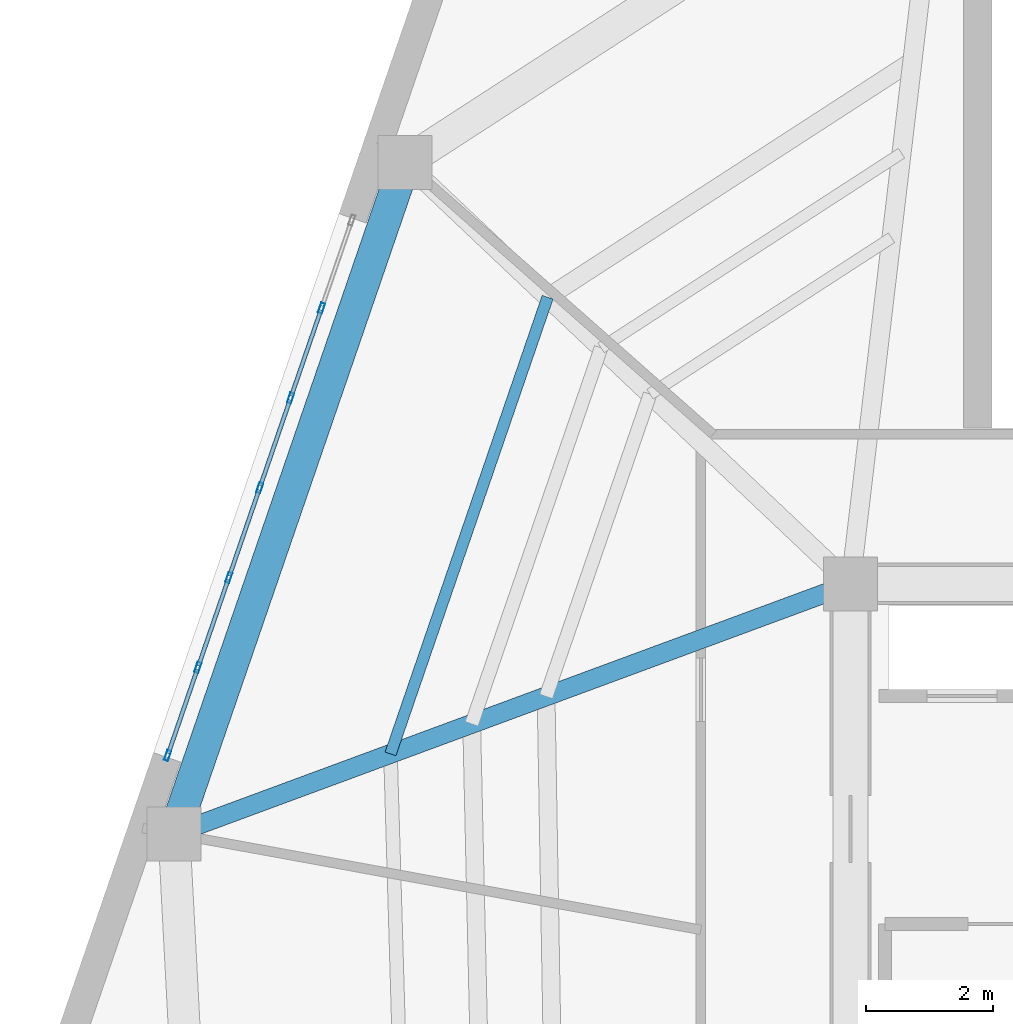
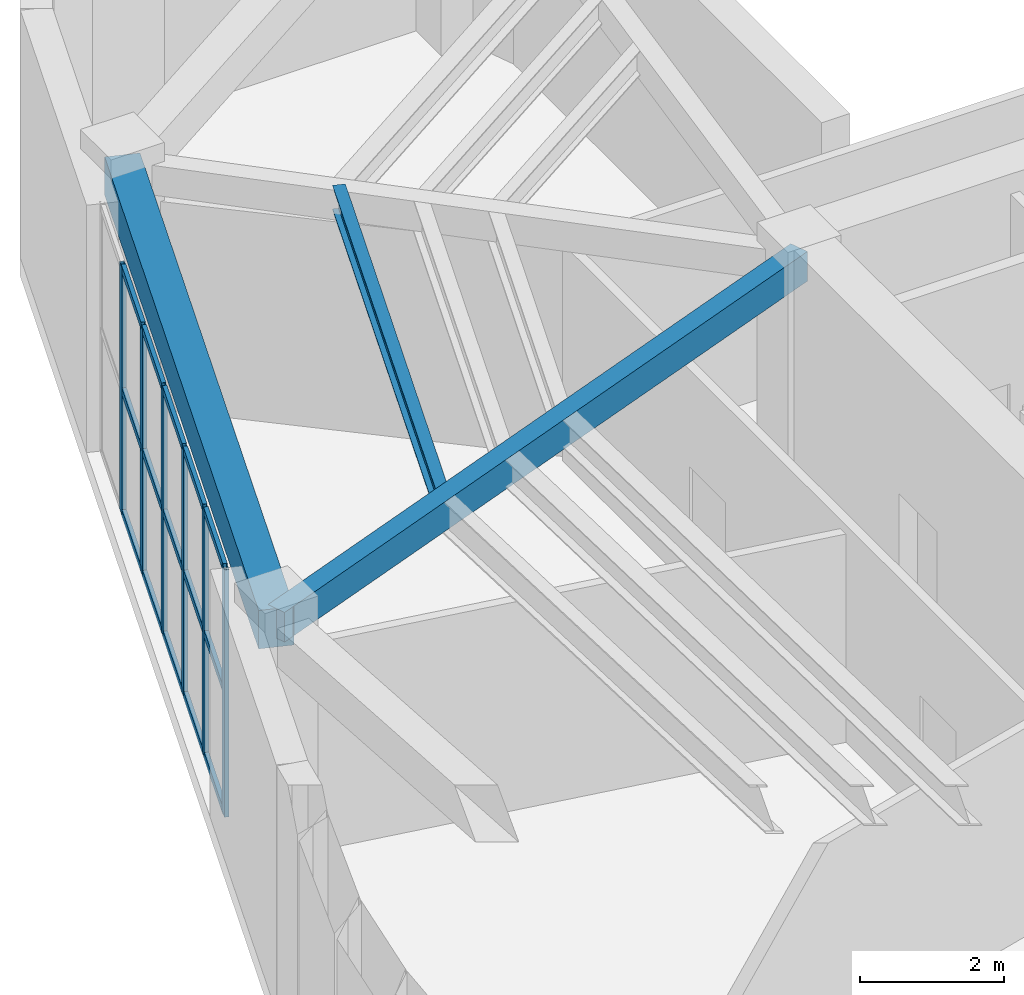
# One storey, part 2 of 15: 21 members, 3 beams, 1 element without a shape of its own.
"""IFC4 building model written with IfcOpenShell, lengths in metres."""

from ifc_helpers import new_model, si_unit, direction, frame, origin, origin_2d, place, context, subcontext, project, spatial, rectangle, hollow_rectangle, i_section, extrude, material, layer, layer_set, material_profile, profile_set, type_object, element, aggregate, save


model = new_model("IFC4")

# Units and contexts
model_context = context("Model", 3, precision=1e-05, world=origin(), true_north=direction((0.0, 1.0)))
body_context = subcontext(model_context, "Body", "Model", "MODEL_VIEW")
ifc_project = project(units=[si_unit("LENGTHUNIT", "METRE"), si_unit("AREAUNIT", "SQUARE_METRE"), si_unit("VOLUMEUNIT", "CUBIC_METRE"), si_unit("PLANEANGLEUNIT", "RADIAN"), si_unit("MASSUNIT", "GRAM", prefix="KILO")], contexts=[model_context])

# Site, building, storey
site_placement = place(None, origin())
site = spatial("IfcSite", under=ifc_project, at=site_placement, CompositionType="ELEMENT")
building_placement = place(site_placement, origin())
building = spatial("IfcBuilding", under=site, at=building_placement, Name="Kilnhurst Terrace Hotel", CompositionType="ELEMENT")
storey_placement = place(building_placement, frame((0.0, 0.0, 293.10009765625)))
storey = spatial("IfcBuildingStorey", under=building, at=storey_placement, Name="L73", CompositionType="ELEMENT", Elevation=293.10009765625)

# Beams
ifc_material_1 = material(Name="Concrete C50/60", Category="concrete")
ifc_material_profile_1 = material_profile(ifc_material_1, rectangle(XDim=0.300048828125, YDim=0.5, at=origin_2d()), Name="RC300X500")
ifc_profile_set_1 = profile_set([ifc_material_profile_1], Name="Concrete C50/60")
beam_type_1 = type_object("IfcBeamType", Name="BM-RAD-300X500", PredefinedType="BEAM", material=ifc_profile_set_1)
beam_1_placement = place(storey_placement, frame((-9.0, 7.5, 3.929931640625), z_axis=(-0.938001507479, -0.3466311757, 0.0), x_axis=(0.3466311757, -0.938001507479, 0.0)))
element("IfcBeam", 1, at=beam_1_placement, inside=storey, type_object=beam_type_1, Name="L73 Radial Floor Beam 10", PredefinedType="BEAM", context=body_context, shape_type="SweptSolid", body=[
    extrude(rectangle(XDim=0.300048828125, YDim=0.5, at=origin_2d()), origin(), (0.0, 0.0, 1.0), 11.326171875),
])
ifc_material_profile_2 = material_profile(ifc_material_1, rectangle(XDim=0.5, YDim=0.64990234375, at=origin_2d()), Name="RC500X650")
ifc_profile_set_2 = profile_set([ifc_material_profile_2], Name="Concrete C50/60")
beam_type_2 = type_object("IfcBeamType", Name="BM-SPN-500X650", PredefinedType="SPANDREL", material=ifc_profile_set_2)
beam_2_placement = place(storey_placement, frame((-15.9951171875, 14.12109375, 3.85498046875), z_axis=(-0.325347079026, -0.945594669068, 0.0), x_axis=(0.945594669068, -0.325347079026, 0.0)))
element("IfcBeam", 2, at=beam_2_placement, inside=storey, type_object=beam_type_2, Name="L73 Perimeter Spandrel Beam 9", PredefinedType="SPANDREL", context=body_context, shape_type="SweptSolid", body=[
    extrude(rectangle(XDim=0.5, YDim=0.64990234375, at=origin_2d()), origin(), (0.0, 0.0, 1.0), 11.154052734375),
])
ifc_material_2 = material(Name="Steel ASTM A992 Grade 50", Category="steel")
ifc_material_profile_3 = material_profile(ifc_material_2, i_section(OverallWidth=0.180908203125, OverallDepth=0.417236328125, WebThickness=0.010986328125, FlangeThickness=0.018310546875, at=origin_2d()), Name="W16X57")
ifc_profile_set_3 = profile_set([ifc_material_profile_3], Name="Steel ASTM A992 Grade 50")
beam_type_3 = type_object("IfcBeamType", Name="JST-STL-W16X57", PredefinedType="JOIST", material=ifc_profile_set_3)
beam_3_placement = place(storey_placement, frame((-13.756591796875, 12.002197265625, 3.970947265625), z_axis=(-0.325367628202, -0.945587598543, 0.0), x_axis=(0.945587598543, -0.325367628202, 0.0)))
element("IfcBeam", 3, at=beam_3_placement, inside=storey, type_object=beam_type_3, Name="L73 Secondary Floor Steel Joist OUT.9", PredefinedType="JOIST", context=body_context, shape_type="SweptSolid", body=[
    extrude(i_section(OverallWidth=0.180908203125, OverallDepth=0.417236328125, WebThickness=0.010986328125, FlangeThickness=0.018310546875, at=origin_2d()), origin(), (0.0, 0.0, 1.0), 7.58447265625),
])

# Curtain wall, members
ifc_material_3 = material(Name="Anodized Aluminium Alloy 6063-T6 and Low-E Glass", Category="aluminium")
ifc_layer = layer(ifc_material_3, 0.219970703125, Name="Anodized Aluminium Alloy 6063-T6 and Low-E Glass")
ifc_layer_set = layer_set([ifc_layer], Name="Anodized Aluminium Alloy 6063-T6 and Low-E Glass")
curtain_wall_type = type_object("IfcCurtainWallType", Name="CW-PORTAL-L72", PredefinedType="NOTDEFINED", material=ifc_layer_set)
curtain_wall_placement = place(storey_placement, origin())
curtain_wall = element("IfcCurtainWall", 4, at=curtain_wall_placement, inside=storey, type_object=curtain_wall_type, Name="L73 Curtain Wall CW-L73-F5-1", PredefinedType="NOTDEFINED")
ifc_material_4 = material(Name="Extruded Aluminium Alloy 6063-T6", Category="aluminium")
ifc_material_profile_4 = material_profile(ifc_material_4, hollow_rectangle(XDim=0.06494140625, YDim=0.1650390625, WallThickness=0.00341796875, at=origin_2d()), Name="CWM65X165")
ifc_profile_set_4 = profile_set([ifc_material_profile_4], Name="Extruded Aluminium Alloy 6063-T6")
member_type_1 = type_object("IfcMemberType", Name="MEM-CWM65X165", PredefinedType="MULLION", material=ifc_profile_set_4)
member_1_placement = place(storey_placement, frame((-17.306396484375, 11.8310546875, 0.0), z_axis=(0.0, 0.0, 1.0), x_axis=(0.945577644137, -0.325396556387, 0.0)))
member_1 = element("IfcMember", 5, at=member_1_placement, type_object=member_type_1, Name="CWP-5 mullion 2", PredefinedType="MULLION", context=body_context, shape_type="SweptSolid", body=[
    extrude(hollow_rectangle(XDim=0.06494140625, YDim=0.1650390625, WallThickness=0.00341796875, at=origin_2d()), origin(), (0.0, 0.0, 1.0), 4.179931640625),
])
member_2_placement = place(storey_placement, frame((-17.7919921875, 10.419921875, 0.0), z_axis=(0.0, 0.0, 1.0), x_axis=(0.945577644137, -0.325396556387, 0.0)))
member_2 = element("IfcMember", 6, at=member_2_placement, type_object=member_type_1, Name="CWP-5 mullion 3", PredefinedType="MULLION", context=body_context, shape_type="SweptSolid", body=[
    extrude(hollow_rectangle(XDim=0.06494140625, YDim=0.1650390625, WallThickness=0.00341796875, at=origin_2d()), origin(), (0.0, 0.0, 1.0), 4.179931640625),
])
member_3_placement = place(storey_placement, frame((-18.277587890625, 9.0087890625, 0.0), z_axis=(0.0, 0.0, 1.0), x_axis=(0.945577644137, -0.325396556387, 0.0)))
member_3 = element("IfcMember", 7, at=member_3_placement, type_object=member_type_1, Name="CWP-5 mullion 4", PredefinedType="MULLION", context=body_context, shape_type="SweptSolid", body=[
    extrude(hollow_rectangle(XDim=0.06494140625, YDim=0.1650390625, WallThickness=0.00341796875, at=origin_2d()), origin(), (0.0, 0.0, 1.0), 4.179931640625),
])
member_4_placement = place(storey_placement, frame((-18.76318359375, 7.59765625, 0.0), z_axis=(0.0, 0.0, 1.0), x_axis=(0.945577644137, -0.325396556387, 0.0)))
member_4 = element("IfcMember", 8, at=member_4_placement, type_object=member_type_1, Name="CWP-5 mullion 5", PredefinedType="MULLION", context=body_context, shape_type="SweptSolid", body=[
    extrude(hollow_rectangle(XDim=0.06494140625, YDim=0.1650390625, WallThickness=0.00341796875, at=origin_2d()), origin(), (0.0, 0.0, 1.0), 4.179931640625),
])
member_5_placement = place(storey_placement, frame((-19.248779296875, 6.1865234375, 0.0), z_axis=(0.0, 0.0, 1.0), x_axis=(0.945577644137, -0.325396556387, 0.0)))
member_5 = element("IfcMember", 9, at=member_5_placement, type_object=member_type_1, Name="CWP-5 mullion 6", PredefinedType="MULLION", context=body_context, shape_type="SweptSolid", body=[
    extrude(hollow_rectangle(XDim=0.06494140625, YDim=0.1650390625, WallThickness=0.00341796875, at=origin_2d()), origin(), (0.0, 0.0, 1.0), 4.179931640625),
])
member_6_placement = place(storey_placement, frame((-19.723876953125, 4.80615234375, 0.0), z_axis=(0.0, 0.0, 1.0), x_axis=(0.945577644137, -0.325396556387, 0.0)))
member_6 = element("IfcMember", 10, at=member_6_placement, type_object=member_type_1, Name="CWP-5 mullion 7", PredefinedType="MULLION", context=body_context, shape_type="SweptSolid", body=[
    extrude(hollow_rectangle(XDim=0.06494140625, YDim=0.1650390625, WallThickness=0.00341796875, at=origin_2d()), origin(), (0.0, 0.0, 1.0), 4.179931640625),
])
ifc_material_profile_5 = material_profile(ifc_material_4, hollow_rectangle(XDim=0.06494140625, YDim=0.1201171875, WallThickness=0.00341796875, at=origin_2d()), Name="CWT65X120")
ifc_profile_set_5 = profile_set([ifc_material_profile_5], Name="Extruded Aluminium Alloy 6063-T6")
member_type_2 = type_object("IfcMemberType", Name="MEM-CWT65X120", PredefinedType="USERDEFINED", material=ifc_profile_set_5)
member_7_placement = place(storey_placement, frame((-17.31689453125, 11.80029296875, 0.032470703125), z_axis=(-0.325500404767, -0.945541900973, 0.0), x_axis=(0.945541900973, -0.325500404767, 0.0)))
member_7 = element("IfcMember", 11, at=member_7_placement, type_object=member_type_2, Name="CWP-5 transom 2.1", ObjectType="TRANSOM", PredefinedType="USERDEFINED", context=body_context, shape_type="SweptSolid", body=[
    extrude(hollow_rectangle(XDim=0.06494140625, YDim=0.1201171875, WallThickness=0.00341796875, at=origin_2d()), origin(), (0.0, 0.0, 1.0), 1.42724609375),
])
member_8_placement = place(storey_placement, frame((-17.31689453125, 11.80029296875, 2.08984375), z_axis=(-0.325500404767, -0.945541900973, 0.0), x_axis=(0.945541900973, -0.325500404767, 0.0)))
member_8 = element("IfcMember", 12, at=member_8_placement, type_object=member_type_2, Name="CWP-5 transom 2.2", ObjectType="TRANSOM", PredefinedType="USERDEFINED", context=body_context, shape_type="SweptSolid", body=[
    extrude(hollow_rectangle(XDim=0.06494140625, YDim=0.1201171875, WallThickness=0.00341796875, at=origin_2d()), origin(), (0.0, 0.0, 1.0), 1.42724609375),
])
member_9_placement = place(storey_placement, frame((-17.31689453125, 11.80029296875, 4.1474609375), z_axis=(-0.325500404767, -0.945541900973, 0.0), x_axis=(0.945541900973, -0.325500404767, 0.0)))
member_9 = element("IfcMember", 13, at=member_9_placement, type_object=member_type_2, Name="CWP-5 transom 2.3", ObjectType="TRANSOM", PredefinedType="USERDEFINED", context=body_context, shape_type="SweptSolid", body=[
    extrude(hollow_rectangle(XDim=0.06494140625, YDim=0.1201171875, WallThickness=0.00341796875, at=origin_2d()), origin(), (0.0, 0.0, 1.0), 1.42724609375),
])
member_10_placement = place(storey_placement, frame((-17.802490234375, 10.38916015625, 0.032470703125), z_axis=(-0.325500404767, -0.945541900973, 0.0), x_axis=(0.945541900973, -0.325500404767, 0.0)))
member_10 = element("IfcMember", 14, at=member_10_placement, type_object=member_type_2, Name="CWP-5 transom 3.1", ObjectType="TRANSOM", PredefinedType="USERDEFINED", context=body_context, shape_type="SweptSolid", body=[
    extrude(hollow_rectangle(XDim=0.06494140625, YDim=0.1201171875, WallThickness=0.00341796875, at=origin_2d()), origin(), (0.0, 0.0, 1.0), 1.42724609375),
])
member_11_placement = place(storey_placement, frame((-17.802490234375, 10.38916015625, 2.08984375), z_axis=(-0.325500404767, -0.945541900973, 0.0), x_axis=(0.945541900973, -0.325500404767, 0.0)))
member_11 = element("IfcMember", 15, at=member_11_placement, type_object=member_type_2, Name="CWP-5 transom 3.2", ObjectType="TRANSOM", PredefinedType="USERDEFINED", context=body_context, shape_type="SweptSolid", body=[
    extrude(hollow_rectangle(XDim=0.06494140625, YDim=0.1201171875, WallThickness=0.00341796875, at=origin_2d()), origin(), (0.0, 0.0, 1.0), 1.42724609375),
])
member_12_placement = place(storey_placement, frame((-17.802490234375, 10.38916015625, 4.1474609375), z_axis=(-0.325500404767, -0.945541900973, 0.0), x_axis=(0.945541900973, -0.325500404767, 0.0)))
member_12 = element("IfcMember", 16, at=member_12_placement, type_object=member_type_2, Name="CWP-5 transom 3.3", ObjectType="TRANSOM", PredefinedType="USERDEFINED", context=body_context, shape_type="SweptSolid", body=[
    extrude(hollow_rectangle(XDim=0.06494140625, YDim=0.1201171875, WallThickness=0.00341796875, at=origin_2d()), origin(), (0.0, 0.0, 1.0), 1.42724609375),
])
member_13_placement = place(storey_placement, frame((-18.2880859375, 8.97802734375, 0.032470703125), z_axis=(-0.325500404767, -0.945541900973, 0.0), x_axis=(0.945541900973, -0.325500404767, 0.0)))
member_13 = element("IfcMember", 17, at=member_13_placement, type_object=member_type_2, Name="CWP-5 transom 4.1", ObjectType="TRANSOM", PredefinedType="USERDEFINED", context=body_context, shape_type="SweptSolid", body=[
    extrude(hollow_rectangle(XDim=0.06494140625, YDim=0.1201171875, WallThickness=0.00341796875, at=origin_2d()), origin(), (0.0, 0.0, 1.0), 1.42724609375),
])
member_14_placement = place(storey_placement, frame((-18.2880859375, 8.97802734375, 2.08984375), z_axis=(-0.325500404767, -0.945541900973, 0.0), x_axis=(0.945541900973, -0.325500404767, 0.0)))
member_14 = element("IfcMember", 18, at=member_14_placement, type_object=member_type_2, Name="CWP-5 transom 4.2", ObjectType="TRANSOM", PredefinedType="USERDEFINED", context=body_context, shape_type="SweptSolid", body=[
    extrude(hollow_rectangle(XDim=0.06494140625, YDim=0.1201171875, WallThickness=0.00341796875, at=origin_2d()), origin(), (0.0, 0.0, 1.0), 1.42724609375),
])
member_15_placement = place(storey_placement, frame((-18.2880859375, 8.97802734375, 4.1474609375), z_axis=(-0.325500404767, -0.945541900973, 0.0), x_axis=(0.945541900973, -0.325500404767, 0.0)))
member_15 = element("IfcMember", 19, at=member_15_placement, type_object=member_type_2, Name="CWP-5 transom 4.3", ObjectType="TRANSOM", PredefinedType="USERDEFINED", context=body_context, shape_type="SweptSolid", body=[
    extrude(hollow_rectangle(XDim=0.06494140625, YDim=0.1201171875, WallThickness=0.00341796875, at=origin_2d()), origin(), (0.0, 0.0, 1.0), 1.42724609375),
])
member_16_placement = place(storey_placement, frame((-18.773681640625, 7.56689453125, 0.032470703125), z_axis=(-0.325500404767, -0.945541900973, 0.0), x_axis=(0.945541900973, -0.325500404767, 0.0)))
member_16 = element("IfcMember", 20, at=member_16_placement, type_object=member_type_2, Name="CWP-5 transom 5.1", ObjectType="TRANSOM", PredefinedType="USERDEFINED", context=body_context, shape_type="SweptSolid", body=[
    extrude(hollow_rectangle(XDim=0.06494140625, YDim=0.1201171875, WallThickness=0.00341796875, at=origin_2d()), origin(), (0.0, 0.0, 1.0), 1.42724609375),
])
member_17_placement = place(storey_placement, frame((-18.773681640625, 7.56689453125, 2.08984375), z_axis=(-0.325500404767, -0.945541900973, 0.0), x_axis=(0.945541900973, -0.325500404767, 0.0)))
member_17 = element("IfcMember", 21, at=member_17_placement, type_object=member_type_2, Name="CWP-5 transom 5.2", ObjectType="TRANSOM", PredefinedType="USERDEFINED", context=body_context, shape_type="SweptSolid", body=[
    extrude(hollow_rectangle(XDim=0.06494140625, YDim=0.1201171875, WallThickness=0.00341796875, at=origin_2d()), origin(), (0.0, 0.0, 1.0), 1.42724609375),
])
member_18_placement = place(storey_placement, frame((-18.773681640625, 7.56689453125, 4.1474609375), z_axis=(-0.325500404767, -0.945541900973, 0.0), x_axis=(0.945541900973, -0.325500404767, 0.0)))
member_18 = element("IfcMember", 22, at=member_18_placement, type_object=member_type_2, Name="CWP-5 transom 5.3", ObjectType="TRANSOM", PredefinedType="USERDEFINED", context=body_context, shape_type="SweptSolid", body=[
    extrude(hollow_rectangle(XDim=0.06494140625, YDim=0.1201171875, WallThickness=0.00341796875, at=origin_2d()), origin(), (0.0, 0.0, 1.0), 1.42724609375),
])
member_19_placement = place(storey_placement, frame((-19.25927734375, 6.15576171875, 0.032470703125), z_axis=(-0.325402621342, -0.945575557015, 0.0), x_axis=(0.945575557015, -0.325402621342, 0.0)))
member_19 = element("IfcMember", 23, at=member_19_placement, type_object=member_type_2, Name="CWP-5 transom 6.1", ObjectType="TRANSOM", PredefinedType="USERDEFINED", context=body_context, shape_type="SweptSolid", body=[
    extrude(hollow_rectangle(XDim=0.06494140625, YDim=0.1201171875, WallThickness=0.00341796875, at=origin_2d()), origin(), (0.0, 0.0, 1.0), 1.394775390625),
])
member_20_placement = place(storey_placement, frame((-19.25927734375, 6.15576171875, 2.08984375), z_axis=(-0.325402621342, -0.945575557015, 0.0), x_axis=(0.945575557015, -0.325402621342, 0.0)))
member_20 = element("IfcMember", 24, at=member_20_placement, type_object=member_type_2, Name="CWP-5 transom 6.2", ObjectType="TRANSOM", PredefinedType="USERDEFINED", context=body_context, shape_type="SweptSolid", body=[
    extrude(hollow_rectangle(XDim=0.06494140625, YDim=0.1201171875, WallThickness=0.00341796875, at=origin_2d()), origin(), (0.0, 0.0, 1.0), 1.394775390625),
])
member_21_placement = place(storey_placement, frame((-19.25927734375, 6.15576171875, 4.1474609375), z_axis=(-0.325402621342, -0.945575557015, 0.0), x_axis=(0.945575557015, -0.325402621342, 0.0)))
member_21 = element("IfcMember", 25, at=member_21_placement, type_object=member_type_2, Name="CWP-5 transom 6.3", ObjectType="TRANSOM", PredefinedType="USERDEFINED", context=body_context, shape_type="SweptSolid", body=[
    extrude(hollow_rectangle(XDim=0.06494140625, YDim=0.1201171875, WallThickness=0.00341796875, at=origin_2d()), origin(), (0.0, 0.0, 1.0), 1.394775390625),
])
aggregate(curtain_wall, [member_1, member_2, member_3, member_4, member_5, member_6, member_7, member_8, member_9, member_10, member_11, member_12, member_13, member_14, member_15, member_16, member_17, member_18, member_19, member_20, member_21])

save(model, "model.ifc")
